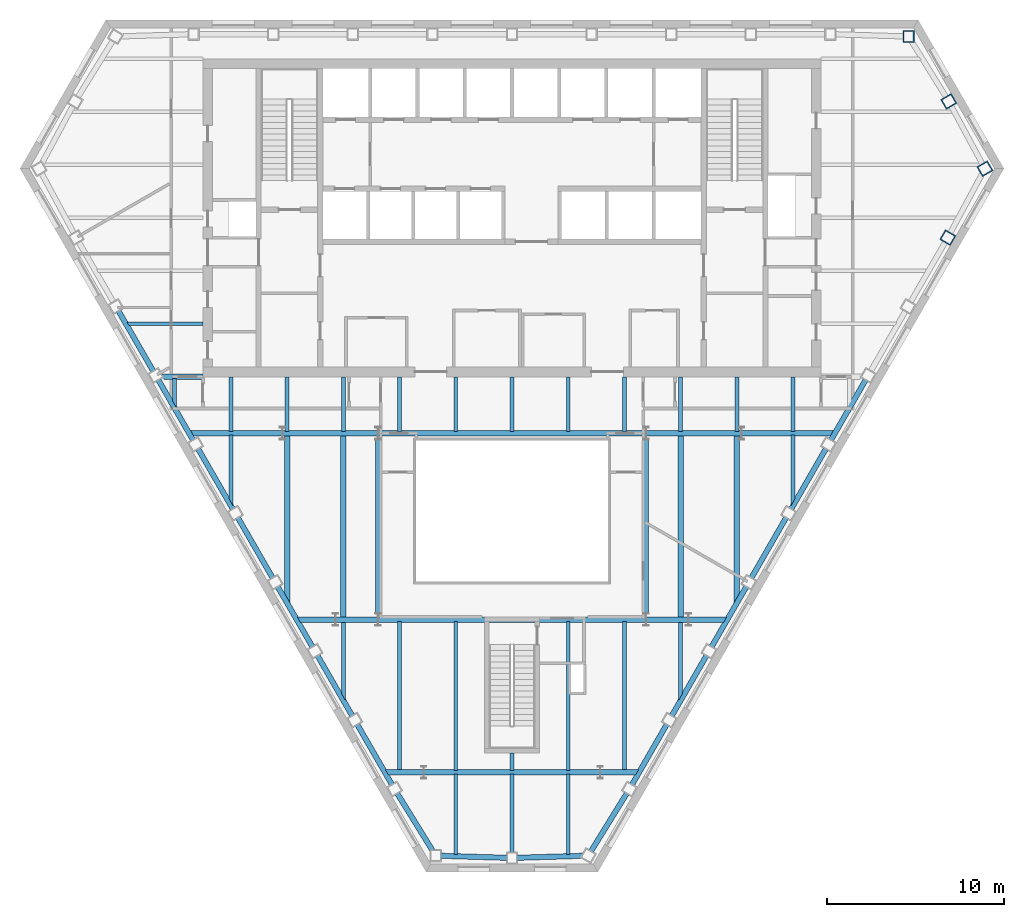
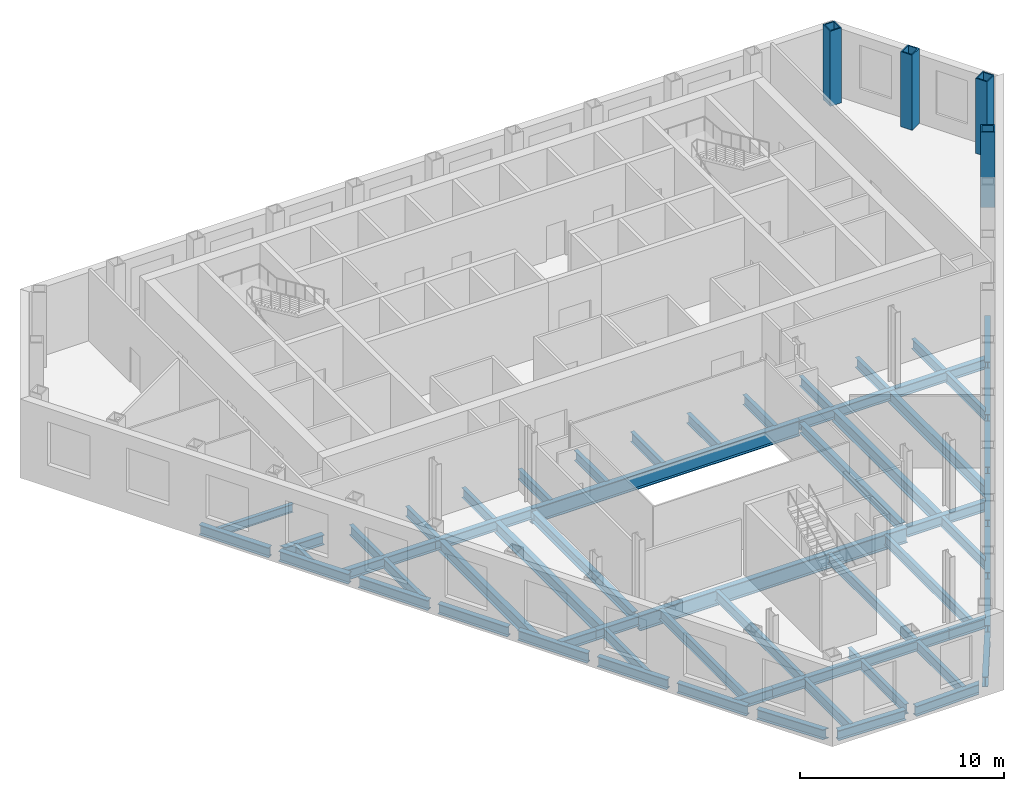
# One storey, part 2 of 11: 62 beams, 4 columns.
"""IFC4 building model written with IfcOpenShell, lengths in metres."""

import ifcopenshell
import ifcopenshell.guid

model = None  # the IFC model being written
_history = None  # IfcOwnerHistory: only IFC2X3 demands one
_inside = {}  # id of a spatial element -> (the spatial element, [elements in it])
_under = {}  # id of a project, library or spatial element -> (it, [spatial elements below it])
_declared = {}  # id of a project -> (the project, [libraries it declares])
_typed = {}  # id of a type object -> (the type object, [elements of that type])
_made_of = {}  # id of a material, layer set ... -> (it, [elements and type objects made of it])


def new_model(schema):
    """Start an empty IFC model of exactly this schema.

    Asked for "IFC4X3", IfcOpenShell would pick the latest addendum, in which some entities
    have other attributes; the version numbers below select the first issue.
    IFC2X3 requires an IfcOwnerHistory on every rooted entity: one is made here for all.
    """
    global model, _history
    if schema == "IFC4X3":
        model = ifcopenshell.file(schema_version=(4, 3, 0, 0))
    else:
        model = ifcopenshell.file(schema=schema)
    _inside.clear()
    _under.clear()
    _declared.clear()
    _typed.clear()
    _made_of.clear()
    _history = None
    if model.schema == "IFC2X3":
        org = make("IfcOrganization", Name="unknown")
        user = make(
            "IfcPersonAndOrganization",
            ThePerson=make("IfcPerson", FamilyName="unknown"),
            TheOrganization=org,
        )
        app = make(
            "IfcApplication",
            ApplicationDeveloper=org,
            Version="unknown",
            ApplicationFullName="unknown",
            ApplicationIdentifier="unknown",
        )
        _history = make(
            "IfcOwnerHistory",
            OwningUser=user,
            OwningApplication=app,
            ChangeAction="ADDED",
            CreationDate=0,
        )
    return model


def make(cls, **values):
    """One entity of the class cls with the attributes given. An attribute that is None is left unset."""
    return model.create_entity(
        cls, **{name: value for name, value in values.items() if value is not None}
    )


def rooted(cls, **values):
    """An entity with a GlobalId (a new one), such as an element, a storey or a relation."""
    return make(cls, GlobalId=ifcopenshell.guid.new(), OwnerHistory=_history, **values)


def si_unit(unit_type, name, prefix=None):
    """IfcSIUnit, for example si_unit("LENGTHUNIT", "METRE", prefix="MILLI")."""
    return make("IfcSIUnit", UnitType=unit_type, Prefix=prefix, Name=name)


def assignment(units):
    """IfcUnitAssignment: the units of a project."""
    return None if units is None else make("IfcUnitAssignment", Units=units)


def point(xyz):
    """IfcCartesianPoint."""
    return None if xyz is None else make("IfcCartesianPoint", Coordinates=xyz)


def direction(xyz):
    """IfcDirection."""
    return None if xyz is None else make("IfcDirection", DirectionRatios=xyz)


def frame(location, z_axis=None, x_axis=None):
    """IfcAxis2Placement3D, a coordinate frame: its origin and axes. An axis left out is left unset."""
    return make(
        "IfcAxis2Placement3D",
        Location=point(location),
        Axis=direction(z_axis),
        RefDirection=direction(x_axis),
    )


def frame_2d(location, x_axis=None):
    """IfcAxis2Placement2D, a coordinate frame in the plane: its origin and x axis."""
    return make(
        "IfcAxis2Placement2D", Location=point(location), RefDirection=direction(x_axis)
    )


def origin():
    """The frame at (0, 0, 0) with its axes left unset."""
    return frame((0.0, 0.0, 0.0))


def origin_2d():
    """The frame at (0, 0) in the plane with its x axis left unset."""
    return frame_2d((0.0, 0.0))


def place(relative_to, where):
    """IfcLocalPlacement: puts the frame where relative to a parent placement (None: the world)."""
    return make(
        "IfcLocalPlacement", PlacementRelTo=relative_to, RelativePlacement=where
    )


def context(
    kind, dimensions, precision=None, world=None, true_north=None, identifier=None
):
    """IfcGeometricRepresentationContext, for example the 3D "Model" context."""
    return make(
        "IfcGeometricRepresentationContext",
        ContextIdentifier=identifier,
        ContextType=kind,
        CoordinateSpaceDimension=dimensions,
        Precision=precision,
        WorldCoordinateSystem=world,
        TrueNorth=true_north,
    )


def subcontext(parent, identifier, kind, view, scale=None):
    """IfcGeometricRepresentationSubContext, for example "Body" below "Model"."""
    return make(
        "IfcGeometricRepresentationSubContext",
        ContextIdentifier=identifier,
        ContextType=kind,
        ParentContext=parent,
        TargetScale=scale,
        TargetView=view,
    )


def project(units=None, contexts=None):
    """IfcProject with its units and contexts."""
    return rooted(
        "IfcProject",
        Name="project",
        RepresentationContexts=contexts,
        UnitsInContext=assignment(units),
    )


def spatial(cls, under=None, at=None, **own):
    """A site, building, storey or space (cls), placed at a placement, below another one or the project."""
    s = rooted(cls, ObjectPlacement=at, **own)
    if under is not None:
        _under.setdefault(under.id(), (under, []))[1].append(s)
    return s


def profile(cls, at=None, kind="AREA", **sizes):
    """A parametric profile (cls). Its sizes go by their IFC names, for example OverallWidth=200.0."""
    return make(cls, ProfileType=kind, Position=at, **sizes)


def hollow_rectangle(**sizes):
    """IfcRectangleHollowProfileDef."""
    return profile("IfcRectangleHollowProfileDef", **sizes)


def i_section(**sizes):
    """IfcIShapeProfileDef."""
    return profile("IfcIShapeProfileDef", **sizes)


def extrude(swept, where, along, depth):
    """IfcExtrudedAreaSolid: the profile swept, set in the frame where, extruded along a direction by depth."""
    return make(
        "IfcExtrudedAreaSolid",
        SweptArea=swept,
        Position=where,
        ExtrudedDirection=direction(along),
        Depth=depth,
    )


def clip(a, b, op="DIFFERENCE"):
    """IfcBooleanClippingResult: the solid a cut by the half space b."""
    return make(
        "IfcBooleanClippingResult", Operator=op, FirstOperand=a, SecondOperand=b
    )


def halfspace(plane, agree):
    """IfcHalfSpaceSolid: all space on one side of the plane z = 0 of the frame plane."""
    return make(
        "IfcHalfSpaceSolid",
        BaseSurface=make("IfcPlane", Position=plane),
        AgreementFlag=agree,
    )


def shape(context_of_items, identifier, shape_type, items):
    """IfcShapeRepresentation: the items that make up one representation, for example the "Body"."""
    return make(
        "IfcShapeRepresentation",
        ContextOfItems=context_of_items,
        RepresentationIdentifier=identifier,
        RepresentationType=shape_type,
        Items=items,
    )


def material(Name=None, Category=None):
    """IfcMaterial."""
    return make("IfcMaterial", Name=Name, Category=Category)


def material_profile(
    of_material, cross_section, Name=None, Category=None, Priority=None
):
    """IfcMaterialProfile: a cross section and its material."""
    return make(
        "IfcMaterialProfile",
        Name=Name,
        Material=of_material,
        Profile=cross_section,
        Priority=Priority,
        Category=Category,
    )


def profile_set(profiles, Name=None, composite=None):
    """IfcMaterialProfileSet."""
    return make(
        "IfcMaterialProfileSet",
        Name=Name,
        MaterialProfiles=profiles,
        CompositeProfile=composite,
    )


def made_of(thing, what):
    """Note that an element or type object is made of a material, layer set ...; save() writes the relation."""
    if what is not None:
        _made_of.setdefault(what.id(), (what, []))[1].append(thing)
    return thing


def type_object(cls, material=None, **own):
    """A type object (cls), such as IfcWallType, which elements share."""
    return made_of(rooted(cls, **own), material)


def element(
    cls,
    number,
    at=None,
    inside=None,
    cuts=None,
    type_object=None,
    material=None,
    context=None,
    identifier="Body",
    shape_type=None,
    held_by="IfcProductDefinitionShape",
    body=None,
    shapes=None,
    **own,
):
    """One element of the class cls, such as IfcWall. Its Tag is "e" and its number.

    at: its placement. inside: the storey or other place that contains it. cuts: it is an
    opening in that element (IfcRelVoidsElement). A single representation is given by context,
    identifier, shape_type and body (its items); several are given by shapes. held_by: the class
    of the entity that holds the representations. save() writes the other relations.
    """
    e = rooted(cls, Tag="e%d" % number, ObjectPlacement=at, **own)
    if body is not None:
        shapes = [shape(context, identifier, shape_type, body)]
    if shapes is not None:
        e.Representation = make(held_by, Representations=shapes)
    if inside is not None:
        _inside.setdefault(inside.id(), (inside, []))[1].append(e)
    if cuts is not None:
        rooted(
            "IfcRelVoidsElement", RelatingBuildingElement=cuts, RelatedOpeningElement=e
        )
    if type_object is not None:
        _typed.setdefault(type_object.id(), (type_object, []))[1].append(e)
    return made_of(e, material)


def aggregate(whole, parts):
    """IfcRelAggregates: a whole, such as a stair, and the parts it consists of."""
    return rooted("IfcRelAggregates", RelatingObject=whole, RelatedObjects=parts)


def save(model, path):
    """Write the relations noted so far, then the file.

    IfcRelAggregates (storeys below a building ...), IfcRelContainedInSpatialStructure (elements
    in a storey), IfcRelDefinesByType, IfcRelAssociatesMaterial and IfcRelDeclares: one each for
    every whole, place, type object, material and project.
    """
    for whole, parts in _under.values():
        aggregate(whole, parts)
    for where, things in _inside.values():
        rooted(
            "IfcRelContainedInSpatialStructure",
            RelatedElements=things,
            RelatingStructure=where,
        )
    for kind, things in _typed.values():
        rooted("IfcRelDefinesByType", RelatedObjects=things, RelatingType=kind)
    for what, things in _made_of.values():
        rooted("IfcRelAssociatesMaterial", RelatedObjects=things, RelatingMaterial=what)
    for by, libraries in _declared.values():
        rooted("IfcRelDeclares", RelatingContext=by, RelatedDefinitions=libraries)
    model.write(path)


model = new_model("IFC4")

# Units and contexts
model_context = context("Model", 3, precision=1e-05, world=origin(), true_north=direction((0.0, 1.0)))
body_context = subcontext(model_context, "Body", "Model", "MODEL_VIEW")
ifc_project = project(units=[si_unit("LENGTHUNIT", "METRE"), si_unit("AREAUNIT", "SQUARE_METRE"), si_unit("VOLUMEUNIT", "CUBIC_METRE"), si_unit("PLANEANGLEUNIT", "RADIAN"), si_unit("MASSUNIT", "GRAM", prefix="KILO")], contexts=[model_context])

# Site, building, storey
site_placement = place(None, origin())
site = spatial("IfcSite", under=ifc_project, at=site_placement, CompositionType="ELEMENT")
building_placement = place(site_placement, origin())
building = spatial("IfcBuilding", under=site, at=building_placement, Name="Njiva Tower", CompositionType="ELEMENT")
storey_placement = place(building_placement, frame((0.0, 0.0, 120.3)))
storey = spatial("IfcBuildingStorey", under=building, at=storey_placement, Name="L25", CompositionType="ELEMENT", Elevation=120.3)

# Columns
ifc_material = material(Name="Steel S355 J2", Category="steel")
ifc_material_profile_1 = material_profile(ifc_material, hollow_rectangle(XDim=0.65, YDim=0.7, WallThickness=0.065, at=origin_2d()), Name="BOX 700x650x65")
ifc_profile_set_1 = profile_set([ifc_material_profile_1], Name="Steel S355 J2")
column_type = type_object("IfcColumnType", Name="C7 Perimeter tube column BOX 700x650x65", PredefinedType="COLUMN", material=ifc_profile_set_1)
for number, where, z_axis, x_axis, name in (
    (1, (22.456, 19.267, 0.0), (0.0, 0.0, 1.0), (-1.0, 0.0, 0.0), "Perimeter tube column S08-C01"),
    (2, (24.678, 7.879, 0.0), (0.0, 0.0, 1.0), (0.5, 0.866025403784, 0.0), "Perimeter tube column S08-C34"),
    (3, (26.778, 11.782, 0.0), (0.0, 0.0, 1.0), (-0.5, 0.866025403784, 0.0), "Perimeter tube column S08-C35"),
    (4, (24.732, 15.591, 0.0), (0.0, 0.0, 1.0), (-0.5, 0.866025403784, 0.0), "Perimeter tube column S08-C36"),
):
    element("IfcColumn", number, at=place(storey_placement, frame(where, z_axis=z_axis, x_axis=x_axis)), inside=storey, type_object=column_type, Name=name, PredefinedType="COLUMN", context=body_context, shape_type="SweptSolid", body=[
        extrude(hollow_rectangle(XDim=0.65, YDim=0.7, WallThickness=0.065, at=origin_2d()), origin(), (0.0, 0.0, 1.0), 4.5),
    ])

# Beams
ifc_material_profile_2 = material_profile(ifc_material, i_section(OverallWidth=0.3, OverallDepth=0.69, WebThickness=0.0145, FlangeThickness=0.027, at=origin_2d()), Name="HEA 700")
ifc_profile_set_2 = profile_set([ifc_material_profile_2], Name="Steel S355 J2")
beam_type_1 = type_object("IfcBeamType", Name="B12 Long-span floor joist HEA 700", PredefinedType="JOIST", material=ifc_profile_set_2)
for number, where, z_axis, x_axis, name in (
    (5, (-9.55, -3.3, -0.545), (0.0, -1.0, 0.0), (1.0, 0.0, 0.0), "Long-span floor joist S08-B065"),
    (6, (9.55, -3.3, -0.545), (0.0, -1.0, 0.0), (1.0, 0.0, 0.0), "Long-span floor joist S08-B084"),
):
    element("IfcBeam", number, at=place(storey_placement, frame(where, z_axis=z_axis, x_axis=x_axis)), inside=storey, type_object=beam_type_1, Name=name, PredefinedType="JOIST", context=body_context, shape_type="SweptSolid", body=[
        extrude(i_section(OverallWidth=0.3, OverallDepth=0.69, WebThickness=0.0145, FlangeThickness=0.027, at=origin_2d()), origin(), (0.0, 0.0, 1.0), 10.35),
    ])
ifc_material_profile_3 = material_profile(ifc_material, i_section(OverallWidth=0.22, OverallDepth=0.6, WebThickness=0.012, FlangeThickness=0.019, at=origin_2d()), Name="IPE 600")
ifc_profile_set_3 = profile_set([ifc_material_profile_3], Name="Steel S355 J2")
beam_type_2 = type_object("IfcBeamType", Name="B13 Floor joist IPE 600", PredefinedType="JOIST", material=ifc_profile_set_3)
for number, where, z_axis, x_axis, name in (
    (7, (-6.367, -13.851, -0.5), (0.0, -1.0, 0.0), (1.0, 0.0, 0.0), "Floor joist S08-B068"),
    (8, (-3.183, -13.851, -0.5), (0.0, -1.0, 0.0), (1.0, 0.0, 0.0), "Floor joist S08-B071"),
):
    element("IfcBeam", number, at=place(storey_placement, frame(where, z_axis=z_axis, x_axis=x_axis)), inside=storey, type_object=beam_type_2, Name=name, PredefinedType="JOIST", context=body_context, shape_type="SweptSolid", body=[
        extrude(i_section(OverallWidth=0.22, OverallDepth=0.6, WebThickness=0.012, FlangeThickness=0.019, at=origin_2d()), origin(), (0.0, 0.0, 1.0), 8.449),
    ])
beam_1_placement = place(storey_placement, frame((-3.183, -22.5, -0.5), z_axis=(0.0, -1.0, 0.0), x_axis=(1.0, 0.0, 0.0)))
element("IfcBeam", 9, at=beam_1_placement, inside=storey, type_object=beam_type_2, Name="Floor joist S08-B070", PredefinedType="JOIST", context=body_context, shape_type="SweptSolid", body=[
    extrude(i_section(OverallWidth=0.22, OverallDepth=0.6, WebThickness=0.012, FlangeThickness=0.019, at=origin_2d()), origin(), (0.0, 0.0, 1.0), 4.546),
])
beam_2_placement = place(storey_placement, frame((3.183, -13.851, -0.5), z_axis=(0.0, -1.0, 0.0), x_axis=(1.0, 0.0, 0.0)))
element("IfcBeam", 10, at=beam_2_placement, inside=storey, type_object=beam_type_2, Name="Floor joist S08-B078", PredefinedType="JOIST", context=body_context, shape_type="SweptSolid", body=[
    extrude(i_section(OverallWidth=0.22, OverallDepth=0.6, WebThickness=0.012, FlangeThickness=0.019, at=origin_2d()), origin(), (0.0, 0.0, 1.0), 8.449),
])
beam_3_placement = place(storey_placement, frame((3.183, -22.5, -0.5), z_axis=(0.0, -1.0, 0.0), x_axis=(1.0, 0.0, 0.0)))
element("IfcBeam", 11, at=beam_3_placement, inside=storey, type_object=beam_type_2, Name="Floor joist S08-B077", PredefinedType="JOIST", context=body_context, shape_type="SweptSolid", body=[
    extrude(i_section(OverallWidth=0.22, OverallDepth=0.6, WebThickness=0.012, FlangeThickness=0.019, at=origin_2d()), origin(), (0.0, 0.0, 1.0), 4.546),
])
beam_4_placement = place(storey_placement, frame((6.367, -13.851, -0.5), z_axis=(0.0, -1.0, 0.0), x_axis=(1.0, 0.0, 0.0)))
element("IfcBeam", 12, at=beam_4_placement, inside=storey, type_object=beam_type_2, Name="Floor joist S08-B081", PredefinedType="JOIST", context=body_context, shape_type="SweptSolid", body=[
    extrude(i_section(OverallWidth=0.22, OverallDepth=0.6, WebThickness=0.012, FlangeThickness=0.019, at=origin_2d()), origin(), (0.0, 0.0, 1.0), 8.449),
])
ifc_material_profile_4 = material_profile(ifc_material, i_section(OverallWidth=0.22, OverallDepth=0.6, WebThickness=0.012, FlangeThickness=0.019, at=origin_2d()), Name="IPE 600")
ifc_profile_set_4 = profile_set([ifc_material_profile_4], Name="Steel S355 J2")
beam_type_3 = type_object("IfcBeamType", Name="B14 Short-span floor joist IPE 600", PredefinedType="JOIST", material=ifc_profile_set_4)
beam_5_placement = place(storey_placement, frame((-19.1, -0.1, -0.5), z_axis=(0.0, -1.0, 0.0), x_axis=(1.0, 0.0, 0.0)))
element("IfcBeam", 13, at=beam_5_placement, inside=storey, type_object=beam_type_3, Name="Short-span floor joist S08-B059", PredefinedType="JOIST", context=body_context, shape_type="Clipping", body=[
    clip(extrude(i_section(OverallWidth=0.22, OverallDepth=0.6, WebThickness=0.012, FlangeThickness=0.019, at=origin_2d()), origin(), (0.0, 0.0, 1.0), 1.693), halfspace(frame((-0.0433, 0.0, 1.4069), z_axis=(-0.866026552831, 0.0, 0.499998009787), x_axis=(0.0, 1.0, 0.0)), False)),
])
beam_6_placement = place(storey_placement, frame((-15.917, -0.005, -0.5), z_axis=(0.0, -1.0, 0.0), x_axis=(1.0, 0.0, 0.0)))
element("IfcBeam", 14, at=beam_6_placement, inside=storey, type_object=beam_type_3, Name="Short-span floor joist S08-B061", PredefinedType="JOIST", context=body_context, shape_type="SweptSolid", body=[
    extrude(i_section(OverallWidth=0.22, OverallDepth=0.6, WebThickness=0.012, FlangeThickness=0.019, at=origin_2d()), origin(), (0.0, 0.0, 1.0), 3.095),
])
beam_7_placement = place(storey_placement, frame((-15.917, -3.3, -0.5), z_axis=(0.0, -1.0, 0.0), x_axis=(1.0, 0.0, 0.0)))
element("IfcBeam", 15, at=beam_7_placement, inside=storey, type_object=beam_type_3, Name="Short-span floor joist S08-B060", PredefinedType="JOIST", context=body_context, shape_type="Clipping", body=[
    clip(extrude(i_section(OverallWidth=0.22, OverallDepth=0.6, WebThickness=0.012, FlangeThickness=0.019, at=origin_2d()), origin(), (0.0, 0.0, 1.0), 4.007), halfspace(frame((-0.043, 0.0, 3.7206), z_axis=(-0.866026552831, 0.0, 0.499998009787), x_axis=(0.0, 1.0, 0.0)), False)),
])
for number, where, z_axis, x_axis, name in (
    (16, (-12.733, -0.005, -0.5), (0.0, -1.0, 0.0), (1.0, 0.0, 0.0), "Short-span floor joist S08-B063"),
    (17, (-9.55, -0.005, -0.5), (0.0, -1.0, 0.0), (1.0, 0.0, 0.0), "Short-span floor joist S08-B066"),
):
    element("IfcBeam", number, at=place(storey_placement, frame(where, z_axis=z_axis, x_axis=x_axis)), inside=storey, type_object=beam_type_3, Name=name, PredefinedType="JOIST", context=body_context, shape_type="SweptSolid", body=[
        extrude(i_section(OverallWidth=0.22, OverallDepth=0.6, WebThickness=0.012, FlangeThickness=0.019, at=origin_2d()), origin(), (0.0, 0.0, 1.0), 3.095),
    ])
beam_8_placement = place(storey_placement, frame((-9.55, -13.85, -0.5), z_axis=(0.0, -1.0, 0.0), x_axis=(1.0, 0.0, 0.0)))
element("IfcBeam", 18, at=beam_8_placement, inside=storey, type_object=beam_type_3, Name="Short-span floor joist S08-B064", PredefinedType="JOIST", context=body_context, shape_type="Clipping", body=[
    clip(extrude(i_section(OverallWidth=0.22, OverallDepth=0.6, WebThickness=0.012, FlangeThickness=0.019, at=origin_2d()), origin(), (0.0, 0.0, 1.0), 4.484), halfspace(frame((-0.0433, 0.0, 4.198), z_axis=(-0.866026552831, 0.0, 0.499998009787), x_axis=(0.0, 1.0, 0.0)), False)),
])
for number, where, z_axis, x_axis, name in (
    (19, (-6.367, -0.005, -0.5), (0.0, -1.0, 0.0), (1.0, 0.0, 0.0), "Short-span floor joist S08-B069"),
    (20, (-3.183, -0.005, -0.5), (0.0, -1.0, 0.0), (1.0, 0.0, 0.0), "Short-span floor joist S08-B072"),
    (21, (0.0, -0.005, -0.5), (0.0, -1.0, 0.0), (1.0, 0.0, 0.0), "Short-span floor joist S08-B076"),
):
    element("IfcBeam", number, at=place(storey_placement, frame(where, z_axis=z_axis, x_axis=x_axis)), inside=storey, type_object=beam_type_3, Name=name, PredefinedType="JOIST", context=body_context, shape_type="SweptSolid", body=[
        extrude(i_section(OverallWidth=0.22, OverallDepth=0.6, WebThickness=0.012, FlangeThickness=0.019, at=origin_2d()), origin(), (0.0, 0.0, 1.0), 3.094),
    ])
beam_9_placement = place(storey_placement, frame((0.0, -21.3, -0.5), z_axis=(0.0, -1.0, 0.0), x_axis=(1.0, 0.0, 0.0)))
element("IfcBeam", 22, at=beam_9_placement, inside=storey, type_object=beam_type_3, Name="Short-span floor joist S08-B075", PredefinedType="JOIST", context=body_context, shape_type="SweptSolid", body=[
    extrude(i_section(OverallWidth=0.22, OverallDepth=0.6, WebThickness=0.012, FlangeThickness=0.019, at=origin_2d()), origin(), (0.0, 0.0, 1.0), 1.0),
])
beam_10_placement = place(storey_placement, frame((0.0, -22.5, -0.5), z_axis=(0.0, -1.0, 0.0), x_axis=(1.0, 0.0, 0.0)))
element("IfcBeam", 23, at=beam_10_placement, inside=storey, type_object=beam_type_3, Name="Short-span floor joist S08-B074", PredefinedType="JOIST", context=body_context, shape_type="SweptSolid", body=[
    extrude(i_section(OverallWidth=0.22, OverallDepth=0.6, WebThickness=0.012, FlangeThickness=0.019, at=origin_2d()), origin(), (0.0, 0.0, 1.0), 4.446),
])
for number, where, z_axis, x_axis, name in (
    (24, (3.183, -0.005, -0.5), (0.0, -1.0, 0.0), (1.0, 0.0, 0.0), "Short-span floor joist S08-B079"),
    (25, (6.367, -0.005, -0.5), (0.0, -1.0, 0.0), (1.0, 0.0, 0.0), "Short-span floor joist S08-B082"),
):
    element("IfcBeam", number, at=place(storey_placement, frame(where, z_axis=z_axis, x_axis=x_axis)), inside=storey, type_object=beam_type_3, Name=name, PredefinedType="JOIST", context=body_context, shape_type="SweptSolid", body=[
        extrude(i_section(OverallWidth=0.22, OverallDepth=0.6, WebThickness=0.012, FlangeThickness=0.019, at=origin_2d()), origin(), (0.0, 0.0, 1.0), 3.094),
    ])
beam_11_placement = place(storey_placement, frame((9.55, -0.005, -0.5), z_axis=(0.0, -1.0, 0.0), x_axis=(1.0, 0.0, 0.0)))
element("IfcBeam", 26, at=beam_11_placement, inside=storey, type_object=beam_type_3, Name="Short-span floor joist S08-B085", PredefinedType="JOIST", context=body_context, shape_type="SweptSolid", body=[
    extrude(i_section(OverallWidth=0.22, OverallDepth=0.6, WebThickness=0.012, FlangeThickness=0.019, at=origin_2d()), origin(), (0.0, 0.0, 1.0), 3.095),
])
beam_12_placement = place(storey_placement, frame((9.55, -13.85, -0.5), z_axis=(0.0, -1.0, 0.0), x_axis=(1.0, 0.0, 0.0)))
element("IfcBeam", 27, at=beam_12_placement, inside=storey, type_object=beam_type_3, Name="Short-span floor joist S08-B083", PredefinedType="JOIST", context=body_context, shape_type="Clipping", body=[
    clip(extrude(i_section(OverallWidth=0.22, OverallDepth=0.6, WebThickness=0.012, FlangeThickness=0.019, at=origin_2d()), origin(), (0.0, 0.0, 1.0), 4.484), halfspace(frame((0.0433, 0.0, 4.198), z_axis=(0.866026552831, 0.0, 0.499998009787), x_axis=(0.0, 1.0, 0.0)), False)),
])
for number, where, z_axis, x_axis, name in (
    (28, (12.733, -0.005, -0.5), (0.0, -1.0, 0.0), (1.0, 0.0, 0.0), "Short-span floor joist S08-B087"),
    (29, (15.917, -0.005, -0.5), (0.0, -1.0, 0.0), (1.0, 0.0, 0.0), "Short-span floor joist S08-B089"),
):
    element("IfcBeam", number, at=place(storey_placement, frame(where, z_axis=z_axis, x_axis=x_axis)), inside=storey, type_object=beam_type_3, Name=name, PredefinedType="JOIST", context=body_context, shape_type="SweptSolid", body=[
        extrude(i_section(OverallWidth=0.22, OverallDepth=0.6, WebThickness=0.012, FlangeThickness=0.019, at=origin_2d()), origin(), (0.0, 0.0, 1.0), 3.095),
    ])
beam_13_placement = place(storey_placement, frame((15.917, -3.3, -0.5), z_axis=(0.0, -1.0, 0.0), x_axis=(1.0, 0.0, 0.0)))
element("IfcBeam", 30, at=beam_13_placement, inside=storey, type_object=beam_type_3, Name="Short-span floor joist S08-B088", PredefinedType="JOIST", context=body_context, shape_type="Clipping", body=[
    clip(extrude(i_section(OverallWidth=0.22, OverallDepth=0.6, WebThickness=0.012, FlangeThickness=0.019, at=origin_2d()), origin(), (0.0, 0.0, 1.0), 4.007), halfspace(frame((0.043, 0.0, 3.7206), z_axis=(0.866026552831, 0.0, 0.499998009787), x_axis=(0.0, 1.0, 0.0)), False)),
])
ifc_material_profile_5 = material_profile(ifc_material, i_section(OverallWidth=0.3, OverallDepth=0.6, WebThickness=0.0155, FlangeThickness=0.03, at=origin_2d()), Name="HEB 600")
ifc_profile_set_5 = profile_set([ifc_material_profile_5], Name="Steel S355 J2")
beam_type_4 = type_object("IfcBeamType", Name="B20 Floor girder HEB 600", PredefinedType="BEAM", material=ifc_profile_set_5)
beam_14_placement = place(storey_placement, frame((-18.273, -3.2, -0.5), z_axis=(1.0, 0.0, 0.0), x_axis=(0.0, 1.0, 0.0)))
element("IfcBeam", 31, at=beam_14_placement, inside=storey, type_object=beam_type_4, Name="Floor girder S08-B017", PredefinedType="BEAM", context=body_context, shape_type="Clipping", body=[
    clip(extrude(i_section(OverallWidth=0.3, OverallDepth=0.6, WebThickness=0.0155, FlangeThickness=0.03, at=origin_2d()), origin(), (0.0, 0.0, 1.0), 5.273), halfspace(frame((-0.025, 0.0, 0.1217), z_axis=(-0.499998009787, 0.0, -0.866026552831), x_axis=(0.0, -1.0, 0.0)), False)),
])
for number, where, z_axis, x_axis, name in (
    (32, (-13.0, -3.2, -0.5), (1.0, 0.0, 0.0), (0.0, 1.0, 0.0), "Floor girder S08-B018"),
    (33, (7.58, -3.2, -0.5), (1.0, 0.0, 0.0), (0.0, 1.0, 0.0), "Floor girder S08-B025"),
):
    element("IfcBeam", number, at=place(storey_placement, frame(where, z_axis=z_axis, x_axis=x_axis)), inside=storey, type_object=beam_type_4, Name=name, PredefinedType="BEAM", context=body_context, shape_type="SweptSolid", body=[
        extrude(i_section(OverallWidth=0.3, OverallDepth=0.6, WebThickness=0.0155, FlangeThickness=0.03, at=origin_2d()), origin(), (0.0, 0.0, 1.0), 5.42),
    ])
beam_15_placement = place(storey_placement, frame((13.0, -3.2, -0.5), z_axis=(1.0, 0.0, 0.0), x_axis=(0.0, 1.0, 0.0)))
element("IfcBeam", 34, at=beam_15_placement, inside=storey, type_object=beam_type_4, Name="Floor girder S08-B027", PredefinedType="BEAM", context=body_context, shape_type="Clipping", body=[
    clip(extrude(i_section(OverallWidth=0.3, OverallDepth=0.6, WebThickness=0.0155, FlangeThickness=0.03, at=origin_2d()), origin(), (0.0, 0.0, 1.0), 5.273), halfspace(frame((-0.025, 0.0, 5.1513), z_axis=(-0.499998009787, 0.0, 0.866026552831), x_axis=(0.0, 1.0, 0.0)), False)),
])
ifc_material_profile_6 = material_profile(ifc_material, i_section(OverallWidth=0.3, OverallDepth=0.6, WebThickness=0.0155, FlangeThickness=0.03, at=origin_2d()), Name="HEB 600")
ifc_profile_set_6 = profile_set([ifc_material_profile_6], Name="Steel S355 J2")
beam_type_5 = type_object("IfcBeamType", Name="B21 Short-span floor girder HEB 600", PredefinedType="BEAM", material=ifc_profile_set_6)
beam_16_placement = place(storey_placement, frame((-12.182, -13.75, -0.5), z_axis=(1.0, 0.0, 0.0), x_axis=(0.0, 1.0, 0.0)))
element("IfcBeam", 35, at=beam_16_placement, inside=storey, type_object=beam_type_5, Name="Short-span floor girder S08-B019", PredefinedType="BEAM", context=body_context, shape_type="Clipping", body=[
    clip(extrude(i_section(OverallWidth=0.3, OverallDepth=0.6, WebThickness=0.0155, FlangeThickness=0.03, at=origin_2d()), origin(), (0.0, 0.0, 1.0), 2.182), halfspace(frame((-0.025, 0.0, 0.1217), z_axis=(-0.499998009787, 0.0, -0.866026552831), x_axis=(0.0, -1.0, 0.0)), False)),
])
for number, where, z_axis, x_axis, name in (
    (36, (-10.0, -13.75, -0.5), (1.0, 0.0, 0.0), (0.0, 1.0, 0.0), "Short-span floor girder S08-B020"),
    (37, (7.58, -13.75, -0.5), (1.0, 0.0, 0.0), (0.0, 1.0, 0.0), "Short-span floor girder S08-B024"),
):
    element("IfcBeam", number, at=place(storey_placement, frame(where, z_axis=z_axis, x_axis=x_axis)), inside=storey, type_object=beam_type_5, Name=name, PredefinedType="BEAM", context=body_context, shape_type="SweptSolid", body=[
        extrude(i_section(OverallWidth=0.3, OverallDepth=0.6, WebThickness=0.0155, FlangeThickness=0.03, at=origin_2d()), origin(), (0.0, 0.0, 1.0), 2.42),
    ])
beam_17_placement = place(storey_placement, frame((10.0, -13.75, -0.5), z_axis=(1.0, 0.0, 0.0), x_axis=(0.0, 1.0, 0.0)))
element("IfcBeam", 38, at=beam_17_placement, inside=storey, type_object=beam_type_5, Name="Short-span floor girder S08-B026", PredefinedType="BEAM", context=body_context, shape_type="Clipping", body=[
    clip(extrude(i_section(OverallWidth=0.3, OverallDepth=0.6, WebThickness=0.0155, FlangeThickness=0.03, at=origin_2d()), origin(), (0.0, 0.0, 1.0), 2.182), halfspace(frame((-0.025, 0.0, 2.0603), z_axis=(-0.499998009787, 0.0, 0.866026552831), x_axis=(0.0, 1.0, 0.0)), False)),
])
beam_18_placement = place(storey_placement, frame((-7.188, -22.4, -0.5), z_axis=(1.0, 0.0, 0.0), x_axis=(0.0, 1.0, 0.0)))
element("IfcBeam", 39, at=beam_18_placement, inside=storey, type_object=beam_type_5, Name="Short-span floor girder S08-B021", PredefinedType="BEAM", context=body_context, shape_type="Clipping", body=[
    clip(extrude(i_section(OverallWidth=0.3, OverallDepth=0.6, WebThickness=0.0155, FlangeThickness=0.03, at=origin_2d()), origin(), (0.0, 0.0, 1.0), 2.188), halfspace(frame((-0.025, 0.0, 0.1218), z_axis=(-0.499998009787, 0.0, -0.866026552831), x_axis=(0.0, -1.0, 0.0)), False)),
])
beam_19_placement = place(storey_placement, frame((5.0, -22.4, -0.5), z_axis=(1.0, 0.0, 0.0), x_axis=(0.0, 1.0, 0.0)))
element("IfcBeam", 40, at=beam_19_placement, inside=storey, type_object=beam_type_5, Name="Short-span floor girder S08-B023", PredefinedType="BEAM", context=body_context, shape_type="Clipping", body=[
    clip(extrude(i_section(OverallWidth=0.3, OverallDepth=0.6, WebThickness=0.0155, FlangeThickness=0.03, at=origin_2d()), origin(), (0.0, 0.0, 1.0), 2.188), halfspace(frame((-0.025, 0.0, 2.0662), z_axis=(-0.499998009787, 0.0, 0.866026552831), x_axis=(0.0, 1.0, 0.0)), False)),
])
beam_20_placement = place(storey_placement, frame((-19.889, 0.0, -0.5), z_axis=(1.0, 0.0, 0.0), x_axis=(0.0, 1.0, 0.0)))
element("IfcBeam", 41, at=beam_20_placement, inside=storey, type_object=beam_type_5, Name="Short-span floor girder S08-B016", PredefinedType="BEAM", context=body_context, shape_type="Clipping", body=[
    clip(extrude(i_section(OverallWidth=0.3, OverallDepth=0.6, WebThickness=0.0155, FlangeThickness=0.03, at=origin_2d()), origin(), (0.0, 0.0, 1.0), 2.389), halfspace(frame((-0.025, 0.0, 0.1216), z_axis=(-0.499998009787, 0.0, -0.866026552831), x_axis=(0.0, -1.0, 0.0)), False)),
])
ifc_material_profile_7 = material_profile(ifc_material, i_section(OverallWidth=0.3, OverallDepth=0.6, WebThickness=0.0155, FlangeThickness=0.03, at=origin_2d()), Name="HEB 600")
ifc_profile_set_7 = profile_set([ifc_material_profile_7], Name="Steel S355 J2")
beam_type_6 = type_object("IfcBeamType", Name="B22 Long-span floor girder HEB 600", PredefinedType="BEAM", material=ifc_profile_set_7)
beam_21_placement = place(storey_placement, frame((-5.0, -22.4, -0.5), z_axis=(1.0, 0.0, 0.0), x_axis=(0.0, 1.0, 0.0)))
element("IfcBeam", 42, at=beam_21_placement, inside=storey, type_object=beam_type_6, Name="Long-span floor girder S08-B022", PredefinedType="BEAM", context=body_context, shape_type="SweptSolid", body=[
    extrude(i_section(OverallWidth=0.3, OverallDepth=0.6, WebThickness=0.0155, FlangeThickness=0.03, at=origin_2d()), origin(), (0.0, 0.0, 1.0), 10.0),
])
ifc_material_profile_8 = material_profile(ifc_material, i_section(OverallWidth=0.3, OverallDepth=0.6, WebThickness=0.0155, FlangeThickness=0.03, at=origin_2d()), Name="HEB 600")
ifc_profile_set_8 = profile_set([ifc_material_profile_8], Name="Steel S355 J2")
beam_type_7 = type_object("IfcBeamType", Name="B23 Long-span atrium trimmer beam HEB 600", PredefinedType="BEAM", material=ifc_profile_set_8)
for number, where, z_axis, x_axis, name in (
    (43, (7.58, -13.442, -0.5), (0.0, 1.0, 0.0), (-1.0, 0.0, 0.0), "Long-span atrium trimmer beam S08-B096"),
    (44, (-7.58, -3.508, -0.5), (0.0, -1.0, 0.0), (1.0, 0.0, 0.0), "Long-span atrium trimmer beam S08-B093"),
):
    element("IfcBeam", number, at=place(storey_placement, frame(where, z_axis=z_axis, x_axis=x_axis)), inside=storey, type_object=beam_type_7, Name=name, PredefinedType="BEAM", context=body_context, shape_type="SweptSolid", body=[
        extrude(i_section(OverallWidth=0.3, OverallDepth=0.6, WebThickness=0.0155, FlangeThickness=0.03, at=origin_2d()), origin(), (0.0, 0.0, 1.0), 9.934),
    ])
ifc_material_profile_9 = material_profile(ifc_material, i_section(OverallWidth=0.2, OverallDepth=0.5, WebThickness=0.0102, FlangeThickness=0.016, at=origin_2d()), Name="IPE 500")
ifc_profile_set_9 = profile_set([ifc_material_profile_9], Name="Steel S355 J2")
beam_type_8 = type_object("IfcBeamType", Name="B25 Short-span floor beam to the core IPE 500", PredefinedType="BEAM", material=ifc_profile_set_9)
beam_22_placement = place(storey_placement, frame((-21.823, 3.0, -0.45), z_axis=(1.0, 0.0, 0.0), x_axis=(0.0, 1.0, 0.0)))
element("IfcBeam", 45, at=beam_22_placement, inside=storey, type_object=beam_type_8, Name="Short-span floor beam to the core S08-B007", PredefinedType="BEAM", context=body_context, shape_type="Clipping", body=[
    clip(extrude(i_section(OverallWidth=0.2, OverallDepth=0.5, WebThickness=0.0102, FlangeThickness=0.016, at=origin_2d()), origin(), (0.0, 0.0, 1.0), 4.323), halfspace(frame((-0.025, 0.0, 0.0921), z_axis=(-0.499998009787, 0.0, -0.866026552831), x_axis=(0.0, -1.0, 0.0)), False)),
])
ifc_material_profile_10 = material_profile(ifc_material, i_section(OverallWidth=0.3, OverallDepth=0.69, WebThickness=0.0145, FlangeThickness=0.027, at=origin_2d()), Name="HEA 700")
ifc_profile_set_10 = profile_set([ifc_material_profile_10], Name="Steel S355 J2")
beam_type_9 = type_object("IfcBeamType", Name="B26 Floor joist HEA 700", PredefinedType="JOIST", material=ifc_profile_set_10)
beam_23_placement = place(storey_placement, frame((-12.733, -3.3, -0.545), z_axis=(0.0, -1.0, 0.0), x_axis=(1.0, 0.0, 0.0)))
element("IfcBeam", 46, at=beam_23_placement, inside=storey, type_object=beam_type_9, Name="Floor joist S08-B062", PredefinedType="JOIST", context=body_context, shape_type="Clipping", body=[
    clip(extrude(i_section(OverallWidth=0.3, OverallDepth=0.69, WebThickness=0.0145, FlangeThickness=0.027, at=origin_2d()), origin(), (0.0, 0.0, 1.0), 9.52), halfspace(frame((-0.0436, 0.0, 9.2343), z_axis=(-0.866026552831, 0.0, 0.499998009787), x_axis=(0.0, 1.0, 0.0)), False)),
])
beam_24_placement = place(storey_placement, frame((12.733, -3.3, -0.545), z_axis=(0.0, -1.0, 0.0), x_axis=(1.0, 0.0, 0.0)))
element("IfcBeam", 47, at=beam_24_placement, inside=storey, type_object=beam_type_9, Name="Floor joist S08-B086", PredefinedType="JOIST", context=body_context, shape_type="Clipping", body=[
    clip(extrude(i_section(OverallWidth=0.3, OverallDepth=0.69, WebThickness=0.0145, FlangeThickness=0.027, at=origin_2d()), origin(), (0.0, 0.0, 1.0), 9.52), halfspace(frame((0.0436, 0.0, 9.2343), z_axis=(0.866026552831, 0.0, 0.499998009787), x_axis=(0.0, 1.0, 0.0)), False)),
])
ifc_material_profile_11 = material_profile(ifc_material, i_section(OverallWidth=0.3, OverallDepth=0.6, WebThickness=0.0155, FlangeThickness=0.03, at=origin_2d()), Name="HEB 600")
ifc_profile_set_11 = profile_set([ifc_material_profile_11], Name="Steel S355 J2")
beam_type_10 = type_object("IfcBeamType", Name="B3 Short-span spandrel beam HEB 600", PredefinedType="SPANDREL", material=ifc_profile_set_11)
for number, where, z_axis, x_axis, name in (
    (48, (-22.287, 3.739, -0.5), (0.499890179513, -0.866088799389, 0.0), (0.866088799389, 0.499890179513, 0.0), "Short-span spandrel beam S08-B105"),
    (49, (-20.034, -0.164, -0.5), (0.499890179513, -0.866088799389, 0.0), (0.866088799389, 0.499890179513, 0.0), "Short-span spandrel beam S08-B109"),
):
    element("IfcBeam", number, at=place(storey_placement, frame(where, z_axis=z_axis, x_axis=x_axis)), inside=storey, type_object=beam_type_10, Name=name, PredefinedType="SPANDREL", context=body_context, shape_type="SweptSolid", body=[
        extrude(i_section(OverallWidth=0.3, OverallDepth=0.6, WebThickness=0.0155, FlangeThickness=0.03, at=origin_2d()), origin(), (0.0, 0.0, 1.0), 3.9569),
    ])
beam_25_placement = place(storey_placement, frame((-17.781, -4.067, -0.5), z_axis=(0.500079715141, -0.865979375335, 0.0), x_axis=(0.865979375335, 0.500079715141, 0.0)))
element("IfcBeam", 50, at=beam_25_placement, inside=storey, type_object=beam_type_10, Name="Short-span spandrel beam S08-B111", PredefinedType="SPANDREL", context=body_context, shape_type="SweptSolid", body=[
    extrude(i_section(OverallWidth=0.3, OverallDepth=0.6, WebThickness=0.0155, FlangeThickness=0.03, at=origin_2d()), origin(), (0.0, 0.0, 1.0), 3.9574),
])
beam_26_placement = place(storey_placement, frame((-15.527, -7.97, -0.5), z_axis=(0.499890179513, -0.866088799389, 0.0), x_axis=(0.866088799389, 0.499890179513, 0.0)))
element("IfcBeam", 51, at=beam_26_placement, inside=storey, type_object=beam_type_10, Name="Short-span spandrel beam S08-B115", PredefinedType="SPANDREL", context=body_context, shape_type="SweptSolid", body=[
    extrude(i_section(OverallWidth=0.3, OverallDepth=0.6, WebThickness=0.0155, FlangeThickness=0.03, at=origin_2d()), origin(), (0.0, 0.0, 1.0), 3.9569),
])
beam_27_placement = place(storey_placement, frame((-13.274, -11.873, -0.5), z_axis=(0.500079715141, -0.865979375335, 0.0), x_axis=(0.865979375335, 0.500079715141, 0.0)))
element("IfcBeam", 52, at=beam_27_placement, inside=storey, type_object=beam_type_10, Name="Short-span spandrel beam S08-B117", PredefinedType="SPANDREL", context=body_context, shape_type="SweptSolid", body=[
    extrude(i_section(OverallWidth=0.3, OverallDepth=0.6, WebThickness=0.0155, FlangeThickness=0.03, at=origin_2d()), origin(), (0.0, 0.0, 1.0), 3.9574),
])
beam_28_placement = place(storey_placement, frame((-11.02, -15.776, -0.5), z_axis=(0.499890179513, -0.866088799389, 0.0), x_axis=(0.866088799389, 0.499890179513, 0.0)))
element("IfcBeam", 53, at=beam_28_placement, inside=storey, type_object=beam_type_10, Name="Short-span spandrel beam S08-B120", PredefinedType="SPANDREL", context=body_context, shape_type="SweptSolid", body=[
    extrude(i_section(OverallWidth=0.3, OverallDepth=0.6, WebThickness=0.0155, FlangeThickness=0.03, at=origin_2d()), origin(), (0.0, 0.0, 1.0), 3.9569),
])
beam_29_placement = place(storey_placement, frame((-8.767, -19.679, -0.5), z_axis=(0.499999616612, -0.866025625133, 0.0), x_axis=(0.866025625133, 0.499999616612, 0.0)))
element("IfcBeam", 54, at=beam_29_placement, inside=storey, type_object=beam_type_10, Name="Short-span spandrel beam S08-B122", PredefinedType="SPANDREL", context=body_context, shape_type="SweptSolid", body=[
    extrude(i_section(OverallWidth=0.3, OverallDepth=0.6, WebThickness=0.0155, FlangeThickness=0.03, at=origin_2d()), origin(), (0.0, 0.0, 1.0), 3.956),
])
beam_30_placement = place(storey_placement, frame((-6.505, -23.581, -0.5), z_axis=(0.525829021592, -0.850590289182, 0.0), x_axis=(0.850590289182, 0.525829021592, 0.0)))
element("IfcBeam", 55, at=beam_30_placement, inside=storey, type_object=beam_type_10, Name="Short-span spandrel beam S08-B125", PredefinedType="SPANDREL", context=body_context, shape_type="Clipping", body=[
    clip(extrude(i_section(OverallWidth=0.3, OverallDepth=0.6, WebThickness=0.0155, FlangeThickness=0.03, at=origin_2d()), origin(), (0.0, 0.0, 1.0), 3.9127), halfspace(frame((-0.0261, 0.0, 3.7836), z_axis=(-0.525829021592, 0.0, 0.850590289182), x_axis=(0.0, 1.0, 0.0)), False)),
])
beam_31_placement = place(storey_placement, frame((-4.042, -27.122, -0.5), z_axis=(0.999525202791, -0.030811831922, 0.0), x_axis=(0.030811831922, 0.999525202791, 0.0)))
element("IfcBeam", 56, at=beam_31_placement, inside=storey, type_object=beam_type_10, Name="Short-span spandrel beam S08-B129", PredefinedType="SPANDREL", context=body_context, shape_type="SweptSolid", body=[
    extrude(i_section(OverallWidth=0.3, OverallDepth=0.6, WebThickness=0.0155, FlangeThickness=0.03, at=origin_2d()), origin(), (0.0, 0.0, 1.0), 3.7648),
])
beam_32_placement = place(storey_placement, frame((0.279, -27.238, -0.5), z_axis=(0.999522853792, 0.030887938556, 0.0), x_axis=(-0.030887938556, 0.999522853792, 0.0)))
element("IfcBeam", 57, at=beam_32_placement, inside=storey, type_object=beam_type_10, Name="Short-span spandrel beam S08-B131", PredefinedType="SPANDREL", context=body_context, shape_type="Clipping", body=[
    clip(extrude(i_section(OverallWidth=0.3, OverallDepth=0.6, WebThickness=0.0155, FlangeThickness=0.03, at=origin_2d()), origin(), (0.0, 0.0, 1.0), 3.8038), halfspace(frame((-0.0264, 0.0, 3.6746), z_axis=(-0.526509212584, 0.0, 0.850169423741), x_axis=(0.0, 1.0, 0.0)), False)),
])
beam_33_placement = place(storey_placement, frame((4.468, -26.876, -0.5), z_axis=(0.525839076521, 0.850584073213, 0.0), x_axis=(-0.850584073213, 0.525839076521, 0.0)))
element("IfcBeam", 58, at=beam_33_placement, inside=storey, type_object=beam_type_10, Name="Short-span spandrel beam S08-B134", PredefinedType="SPANDREL", context=body_context, shape_type="SweptSolid", body=[
    extrude(i_section(OverallWidth=0.3, OverallDepth=0.6, WebThickness=0.0155, FlangeThickness=0.03, at=origin_2d()), origin(), (0.0, 0.0, 1.0), 3.8738),
])
beam_34_placement = place(storey_placement, frame((6.789, -23.105, -0.5), z_axis=(0.499999616612, 0.866025625133, 0.0), x_axis=(-0.866025625133, 0.499999616612, 0.0)))
element("IfcBeam", 59, at=beam_34_placement, inside=storey, type_object=beam_type_10, Name="Short-span spandrel beam S08-B137", PredefinedType="SPANDREL", context=body_context, shape_type="SweptSolid", body=[
    extrude(i_section(OverallWidth=0.3, OverallDepth=0.6, WebThickness=0.0155, FlangeThickness=0.03, at=origin_2d()), origin(), (0.0, 0.0, 1.0), 3.956),
])
beam_35_placement = place(storey_placement, frame((9.042, -19.203, -0.5), z_axis=(0.499890179513, 0.866088799389, 0.0), x_axis=(-0.866088799389, 0.499890179513, 0.0)))
element("IfcBeam", 60, at=beam_35_placement, inside=storey, type_object=beam_type_10, Name="Short-span spandrel beam S08-B139", PredefinedType="SPANDREL", context=body_context, shape_type="SweptSolid", body=[
    extrude(i_section(OverallWidth=0.3, OverallDepth=0.6, WebThickness=0.0155, FlangeThickness=0.03, at=origin_2d()), origin(), (0.0, 0.0, 1.0), 3.9569),
])
beam_36_placement = place(storey_placement, frame((11.295, -15.3, -0.5), z_axis=(0.500079715141, 0.865979375335, 0.0), x_axis=(-0.865979375335, 0.500079715141, 0.0)))
element("IfcBeam", 61, at=beam_36_placement, inside=storey, type_object=beam_type_10, Name="Short-span spandrel beam S08-B142", PredefinedType="SPANDREL", context=body_context, shape_type="SweptSolid", body=[
    extrude(i_section(OverallWidth=0.3, OverallDepth=0.6, WebThickness=0.0155, FlangeThickness=0.03, at=origin_2d()), origin(), (0.0, 0.0, 1.0), 3.9574),
])
beam_37_placement = place(storey_placement, frame((13.549, -11.397, -0.5), z_axis=(0.499890179513, 0.866088799389, 0.0), x_axis=(-0.866088799389, 0.499890179513, 0.0)))
element("IfcBeam", 62, at=beam_37_placement, inside=storey, type_object=beam_type_10, Name="Short-span spandrel beam S08-B144", PredefinedType="SPANDREL", context=body_context, shape_type="SweptSolid", body=[
    extrude(i_section(OverallWidth=0.3, OverallDepth=0.6, WebThickness=0.0155, FlangeThickness=0.03, at=origin_2d()), origin(), (0.0, 0.0, 1.0), 3.9569),
])
beam_38_placement = place(storey_placement, frame((15.802, -7.494, -0.5), z_axis=(0.500079715141, 0.865979375335, 0.0), x_axis=(-0.865979375335, 0.500079715141, 0.0)))
element("IfcBeam", 63, at=beam_38_placement, inside=storey, type_object=beam_type_10, Name="Short-span spandrel beam S08-B148", PredefinedType="SPANDREL", context=body_context, shape_type="SweptSolid", body=[
    extrude(i_section(OverallWidth=0.3, OverallDepth=0.6, WebThickness=0.0155, FlangeThickness=0.03, at=origin_2d()), origin(), (0.0, 0.0, 1.0), 3.9574),
])
beam_39_placement = place(storey_placement, frame((18.056, -3.591, -0.5), z_axis=(0.499890179513, 0.866088799389, 0.0), x_axis=(-0.866088799389, 0.499890179513, 0.0)))
element("IfcBeam", 64, at=beam_39_placement, inside=storey, type_object=beam_type_10, Name="Short-span spandrel beam S08-B150", PredefinedType="SPANDREL", context=body_context, shape_type="SweptSolid", body=[
    extrude(i_section(OverallWidth=0.3, OverallDepth=0.6, WebThickness=0.0155, FlangeThickness=0.03, at=origin_2d()), origin(), (0.0, 0.0, 1.0), 3.9569),
])
ifc_material_profile_12 = material_profile(ifc_material, i_section(OverallWidth=0.302, OverallDepth=0.91, WebThickness=0.021, FlangeThickness=0.04, at=origin_2d()), Name="HEM 900")
ifc_profile_set_12 = profile_set([ifc_material_profile_12], Name="Steel S355 J2")
beam_type_11 = type_object("IfcBeamType", Name="B8 Long-span atrium trimmer beam HEM 900", PredefinedType="BEAM", material=ifc_profile_set_12)
for number, where, z_axis, x_axis, name in (
    (65, (-7.58, -13.75, -0.655), (1.0, 0.0, 0.0), (0.0, 1.0, 0.0), "Long-span atrium trimmer beam S08-B092"),
    (66, (7.58, -3.2, -0.655), (-1.0, 0.0, 0.0), (0.0, -1.0, 0.0), "Long-span atrium trimmer beam S08-B094"),
):
    element("IfcBeam", number, at=place(storey_placement, frame(where, z_axis=z_axis, x_axis=x_axis)), inside=storey, type_object=beam_type_11, Name=name, PredefinedType="BEAM", context=body_context, shape_type="SweptSolid", body=[
        extrude(i_section(OverallWidth=0.302, OverallDepth=0.91, WebThickness=0.021, FlangeThickness=0.04, at=origin_2d()), origin(), (0.0, 0.0, 1.0), 15.16),
    ])

save(model, "model.ifc")
